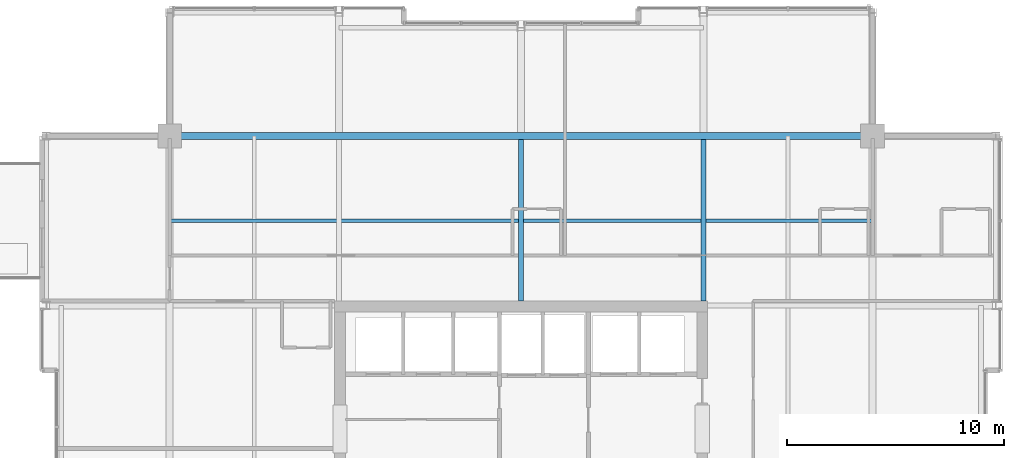
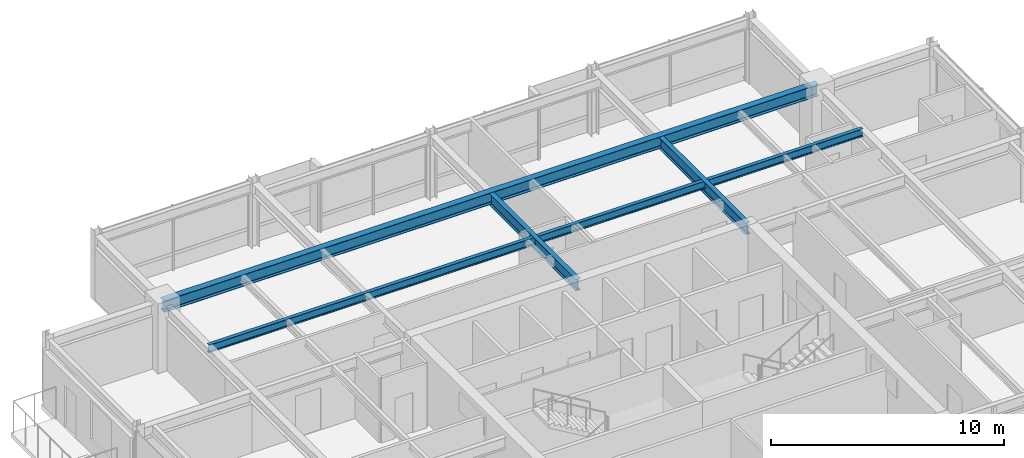
# One storey, part 22 of 33: 4 beams.
"""IFC4 building model written with IfcOpenShell, lengths in metres."""

import ifcopenshell
import ifcopenshell.guid

model = None  # the IFC model being written
_history = None  # IfcOwnerHistory: only IFC2X3 demands one
_inside = {}  # id of a spatial element -> (the spatial element, [elements in it])
_under = {}  # id of a project, library or spatial element -> (it, [spatial elements below it])
_declared = {}  # id of a project -> (the project, [libraries it declares])
_typed = {}  # id of a type object -> (the type object, [elements of that type])
_made_of = {}  # id of a material, layer set ... -> (it, [elements and type objects made of it])


def new_model(schema):
    """Start an empty IFC model of exactly this schema.

    Asked for "IFC4X3", IfcOpenShell would pick the latest addendum, in which some entities
    have other attributes; the version numbers below select the first issue.
    IFC2X3 requires an IfcOwnerHistory on every rooted entity: one is made here for all.
    """
    global model, _history
    if schema == "IFC4X3":
        model = ifcopenshell.file(schema_version=(4, 3, 0, 0))
    else:
        model = ifcopenshell.file(schema=schema)
    _inside.clear()
    _under.clear()
    _declared.clear()
    _typed.clear()
    _made_of.clear()
    _history = None
    if model.schema == "IFC2X3":
        org = make("IfcOrganization", Name="unknown")
        user = make(
            "IfcPersonAndOrganization",
            ThePerson=make("IfcPerson", FamilyName="unknown"),
            TheOrganization=org,
        )
        app = make(
            "IfcApplication",
            ApplicationDeveloper=org,
            Version="unknown",
            ApplicationFullName="unknown",
            ApplicationIdentifier="unknown",
        )
        _history = make(
            "IfcOwnerHistory",
            OwningUser=user,
            OwningApplication=app,
            ChangeAction="ADDED",
            CreationDate=0,
        )
    return model


def make(cls, **values):
    """One entity of the class cls with the attributes given. An attribute that is None is left unset."""
    return model.create_entity(
        cls, **{name: value for name, value in values.items() if value is not None}
    )


def rooted(cls, **values):
    """An entity with a GlobalId (a new one), such as an element, a storey or a relation."""
    return make(cls, GlobalId=ifcopenshell.guid.new(), OwnerHistory=_history, **values)


def si_unit(unit_type, name, prefix=None):
    """IfcSIUnit, for example si_unit("LENGTHUNIT", "METRE", prefix="MILLI")."""
    return make("IfcSIUnit", UnitType=unit_type, Prefix=prefix, Name=name)


def assignment(units):
    """IfcUnitAssignment: the units of a project."""
    return None if units is None else make("IfcUnitAssignment", Units=units)


def point(xyz):
    """IfcCartesianPoint."""
    return None if xyz is None else make("IfcCartesianPoint", Coordinates=xyz)


def direction(xyz):
    """IfcDirection."""
    return None if xyz is None else make("IfcDirection", DirectionRatios=xyz)


def frame(location, z_axis=None, x_axis=None):
    """IfcAxis2Placement3D, a coordinate frame: its origin and axes. An axis left out is left unset."""
    return make(
        "IfcAxis2Placement3D",
        Location=point(location),
        Axis=direction(z_axis),
        RefDirection=direction(x_axis),
    )


def frame_2d(location, x_axis=None):
    """IfcAxis2Placement2D, a coordinate frame in the plane: its origin and x axis."""
    return make(
        "IfcAxis2Placement2D", Location=point(location), RefDirection=direction(x_axis)
    )


def origin():
    """The frame at (0, 0, 0) with its axes left unset."""
    return frame((0.0, 0.0, 0.0))


def origin_2d():
    """The frame at (0, 0) in the plane with its x axis left unset."""
    return frame_2d((0.0, 0.0))


def place(relative_to, where):
    """IfcLocalPlacement: puts the frame where relative to a parent placement (None: the world)."""
    return make(
        "IfcLocalPlacement", PlacementRelTo=relative_to, RelativePlacement=where
    )


def context(
    kind, dimensions, precision=None, world=None, true_north=None, identifier=None
):
    """IfcGeometricRepresentationContext, for example the 3D "Model" context."""
    return make(
        "IfcGeometricRepresentationContext",
        ContextIdentifier=identifier,
        ContextType=kind,
        CoordinateSpaceDimension=dimensions,
        Precision=precision,
        WorldCoordinateSystem=world,
        TrueNorth=true_north,
    )


def subcontext(parent, identifier, kind, view, scale=None):
    """IfcGeometricRepresentationSubContext, for example "Body" below "Model"."""
    return make(
        "IfcGeometricRepresentationSubContext",
        ContextIdentifier=identifier,
        ContextType=kind,
        ParentContext=parent,
        TargetScale=scale,
        TargetView=view,
    )


def project(units=None, contexts=None):
    """IfcProject with its units and contexts."""
    return rooted(
        "IfcProject",
        Name="project",
        RepresentationContexts=contexts,
        UnitsInContext=assignment(units),
    )


def spatial(cls, under=None, at=None, **own):
    """A site, building, storey or space (cls), placed at a placement, below another one or the project."""
    s = rooted(cls, ObjectPlacement=at, **own)
    if under is not None:
        _under.setdefault(under.id(), (under, []))[1].append(s)
    return s


def profile(cls, at=None, kind="AREA", **sizes):
    """A parametric profile (cls). Its sizes go by their IFC names, for example OverallWidth=200.0."""
    return make(cls, ProfileType=kind, Position=at, **sizes)


def i_section(**sizes):
    """IfcIShapeProfileDef."""
    return profile("IfcIShapeProfileDef", **sizes)


def extrude(swept, where, along, depth):
    """IfcExtrudedAreaSolid: the profile swept, set in the frame where, extruded along a direction by depth."""
    return make(
        "IfcExtrudedAreaSolid",
        SweptArea=swept,
        Position=where,
        ExtrudedDirection=direction(along),
        Depth=depth,
    )


def shape(context_of_items, identifier, shape_type, items):
    """IfcShapeRepresentation: the items that make up one representation, for example the "Body"."""
    return make(
        "IfcShapeRepresentation",
        ContextOfItems=context_of_items,
        RepresentationIdentifier=identifier,
        RepresentationType=shape_type,
        Items=items,
    )


def material(Name=None, Category=None):
    """IfcMaterial."""
    return make("IfcMaterial", Name=Name, Category=Category)


def material_profile(
    of_material, cross_section, Name=None, Category=None, Priority=None
):
    """IfcMaterialProfile: a cross section and its material."""
    return make(
        "IfcMaterialProfile",
        Name=Name,
        Material=of_material,
        Profile=cross_section,
        Priority=Priority,
        Category=Category,
    )


def profile_set(profiles, Name=None, composite=None):
    """IfcMaterialProfileSet."""
    return make(
        "IfcMaterialProfileSet",
        Name=Name,
        MaterialProfiles=profiles,
        CompositeProfile=composite,
    )


def made_of(thing, what):
    """Note that an element or type object is made of a material, layer set ...; save() writes the relation."""
    if what is not None:
        _made_of.setdefault(what.id(), (what, []))[1].append(thing)
    return thing


def type_object(cls, material=None, **own):
    """A type object (cls), such as IfcWallType, which elements share."""
    return made_of(rooted(cls, **own), material)


def element(
    cls,
    number,
    at=None,
    inside=None,
    cuts=None,
    type_object=None,
    material=None,
    context=None,
    identifier="Body",
    shape_type=None,
    held_by="IfcProductDefinitionShape",
    body=None,
    shapes=None,
    **own,
):
    """One element of the class cls, such as IfcWall. Its Tag is "e" and its number.

    at: its placement. inside: the storey or other place that contains it. cuts: it is an
    opening in that element (IfcRelVoidsElement). A single representation is given by context,
    identifier, shape_type and body (its items); several are given by shapes. held_by: the class
    of the entity that holds the representations. save() writes the other relations.
    """
    e = rooted(cls, Tag="e%d" % number, ObjectPlacement=at, **own)
    if body is not None:
        shapes = [shape(context, identifier, shape_type, body)]
    if shapes is not None:
        e.Representation = make(held_by, Representations=shapes)
    if inside is not None:
        _inside.setdefault(inside.id(), (inside, []))[1].append(e)
    if cuts is not None:
        rooted(
            "IfcRelVoidsElement", RelatingBuildingElement=cuts, RelatedOpeningElement=e
        )
    if type_object is not None:
        _typed.setdefault(type_object.id(), (type_object, []))[1].append(e)
    return made_of(e, material)


def aggregate(whole, parts):
    """IfcRelAggregates: a whole, such as a stair, and the parts it consists of."""
    return rooted("IfcRelAggregates", RelatingObject=whole, RelatedObjects=parts)


def save(model, path):
    """Write the relations noted so far, then the file.

    IfcRelAggregates (storeys below a building ...), IfcRelContainedInSpatialStructure (elements
    in a storey), IfcRelDefinesByType, IfcRelAssociatesMaterial and IfcRelDeclares: one each for
    every whole, place, type object, material and project.
    """
    for whole, parts in _under.values():
        aggregate(whole, parts)
    for where, things in _inside.values():
        rooted(
            "IfcRelContainedInSpatialStructure",
            RelatedElements=things,
            RelatingStructure=where,
        )
    for kind, things in _typed.values():
        rooted("IfcRelDefinesByType", RelatedObjects=things, RelatingType=kind)
    for what, things in _made_of.values():
        rooted("IfcRelAssociatesMaterial", RelatedObjects=things, RelatingMaterial=what)
    for by, libraries in _declared.values():
        rooted("IfcRelDeclares", RelatingContext=by, RelatedDefinitions=libraries)
    model.write(path)


model = new_model("IFC4")

# Units and contexts
model_context = context("Model", 3, precision=1e-05, world=origin(), true_north=direction((0.0, 1.0)))
body_context = subcontext(model_context, "Body", "Model", "MODEL_VIEW")
ifc_project = project(units=[si_unit("LENGTHUNIT", "METRE"), si_unit("AREAUNIT", "SQUARE_METRE"), si_unit("VOLUMEUNIT", "CUBIC_METRE"), si_unit("PLANEANGLEUNIT", "RADIAN"), si_unit("MASSUNIT", "GRAM", prefix="KILO")], contexts=[model_context])

# Site, building, storey
site_placement = place(None, origin())
site = spatial("IfcSite", under=ifc_project, at=site_placement, CompositionType="ELEMENT")
building_placement = place(site_placement, origin())
building = spatial("IfcBuilding", under=site, at=building_placement, Name="Drelvath Grand Hotel", CompositionType="ELEMENT")
storey_placement = place(building_placement, frame((0.0, 0.0, 283.25)))
storey = spatial("IfcBuildingStorey", under=building, at=storey_placement, Name="L74", CompositionType="ELEMENT", Elevation=283.25)

# Beams
ifc_material = material(Name="Steel ASTM A992 Gr 50", Category="steel")
ifc_material_profile_1 = material_profile(ifc_material, i_section(OverallWidth=0.177734375, OverallDepth=0.40673828125, WebThickness=0.0078125, FlangeThickness=0.0126953125, FilletRadius=0.014892578125, at=origin_2d()), Name="W16X40")
ifc_profile_set_1 = profile_set([ifc_material_profile_1], Name="Steel ASTM A992 Gr 50")
beam_type_1 = type_object("IfcBeamType", Name="Composite Floor Joist W16X40", PredefinedType="JOIST", material=ifc_profile_set_1)
beam_1_placement = place(storey_placement, frame((-16.199951171875, 39.300048828125, 3.1865234375), z_axis=(1.0, 0.0, 0.0), x_axis=(0.0, 1.0, 0.0)))
element("IfcBeam", 1, at=beam_1_placement, inside=storey, type_object=beam_type_1, Name="L74 Floor Joist J2", PredefinedType="JOIST", context=body_context, shape_type="SweptSolid", body=[
    extrude(i_section(OverallWidth=0.177734375, OverallDepth=0.40673828125, WebThickness=0.0078125, FlangeThickness=0.0126953125, FilletRadius=0.014892578125, at=origin_2d()), origin(), (0.0, 0.0, 1.0), 32.39990234375),
])
ifc_material_profile_2 = material_profile(ifc_material, i_section(OverallWidth=0.323974609375, OverallDepth=0.611083984375, WebThickness=0.0126953125, FlangeThickness=0.01904296875, FilletRadius=0.02197265625, at=origin_2d()), Name="W24X104")
ifc_profile_set_2 = profile_set([ifc_material_profile_2], Name="Steel ASTM A992 Gr 50")
beam_type_2 = type_object("IfcBeamType", Name="Primary Floor Girder W24X104", PredefinedType="BEAM", material=ifc_profile_set_2)
beam_2_placement = place(storey_placement, frame((-16.199951171875, 43.199951171875, 3.08447265625), z_axis=(1.0, 0.0, 0.0), x_axis=(0.0, 1.0, 0.0)))
element("IfcBeam", 2, at=beam_2_placement, inside=storey, type_object=beam_type_2, Name="L74 Mega Ring Girder North", PredefinedType="BEAM", context=body_context, shape_type="SweptSolid", body=[
    extrude(i_section(OverallWidth=0.323974609375, OverallDepth=0.611083984375, WebThickness=0.0126953125, FlangeThickness=0.01904296875, FilletRadius=0.02197265625, at=origin_2d()), origin(), (0.0, 0.0, 1.0), 32.39990234375),
])
ifc_material_profile_3 = material_profile(ifc_material, i_section(OverallWidth=0.228271484375, OverallDepth=0.607666015625, WebThickness=0.01123046875, FlangeThickness=0.017333984375, FilletRadius=0.02001953125, at=origin_2d()), Name="W24X76")
ifc_profile_set_3 = profile_set([ifc_material_profile_3], Name="Steel ASTM A992 Gr 50")
beam_type_3 = type_object("IfcBeamType", Name="Primary Floor Girder W24X76", PredefinedType="BEAM", material=ifc_profile_set_3)
for number, where, z_axis, x_axis, name in (
    (3, (0.0, 35.60009765625, 3.086181640625), (0.0, 1.0, 0.0), (-1.0, 0.0, 0.0), "L74 North Core Tie 5"),
    (4, (8.39990234375, 35.60009765625, 3.086181640625), (0.0, 1.0, 0.0), (-1.0, 0.0, 0.0), "L74 North Core Tie 6"),
):
    element("IfcBeam", number, at=place(storey_placement, frame(where, z_axis=z_axis, x_axis=x_axis)), inside=storey, type_object=beam_type_3, Name=name, PredefinedType="BEAM", context=body_context, shape_type="SweptSolid", body=[
        extrude(i_section(OverallWidth=0.228271484375, OverallDepth=0.607666015625, WebThickness=0.01123046875, FlangeThickness=0.017333984375, FilletRadius=0.02001953125, at=origin_2d()), origin(), (0.0, 0.0, 1.0), 7.43798828125),
    ])

save(model, "model.ifc")
